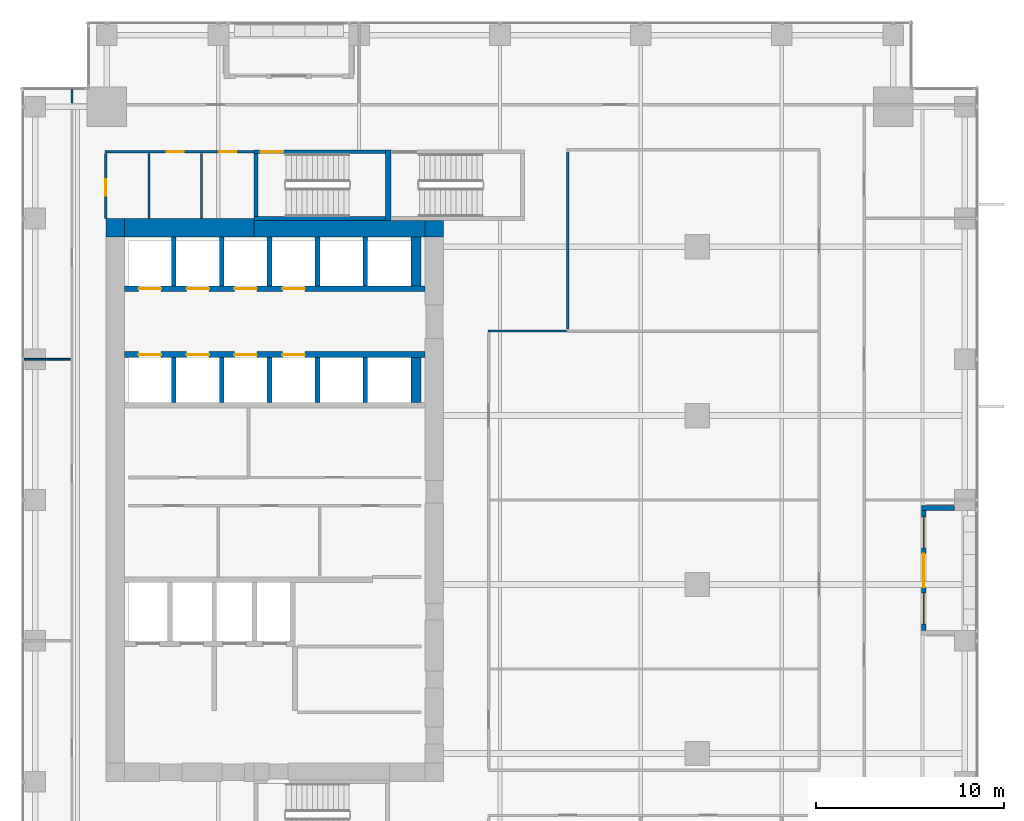
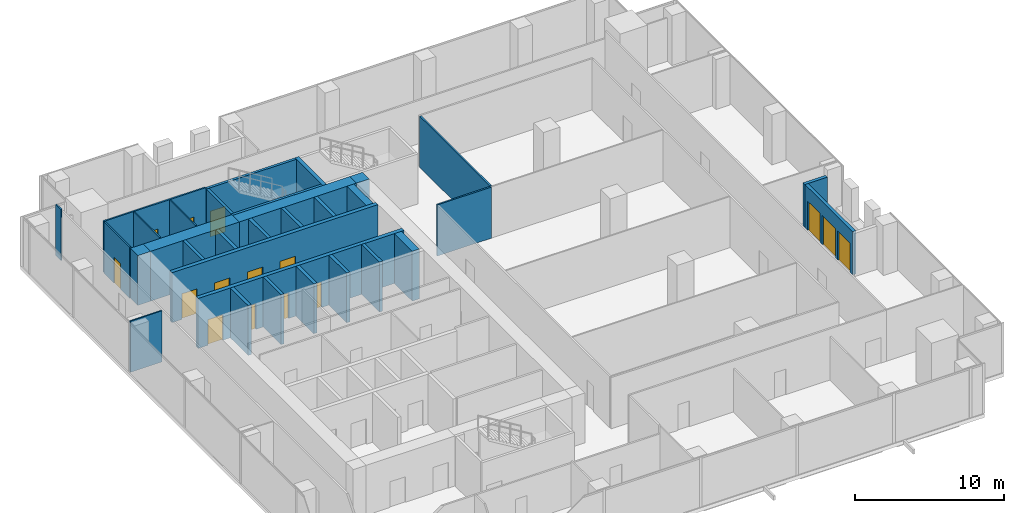
# One storey, part 30 of 34: 32 walls, 13 doors, 2 windows, 15 openings.
"""IFC4 building model written with IfcOpenShell, lengths in metres."""

from ifc_helpers import new_model, si_unit, direction, frame, frame_2d, origin, place, context, subcontext, project, spatial, rectangle, extrude, source, transform, mapped, material, layer, layer_set, type_object, element, fill, save


model = new_model("IFC4")

# Units and contexts
model_context = context("Model", 3, precision=1e-05, world=origin(), true_north=direction((0.0, 1.0)))
body_context = subcontext(model_context, "Body", "Model", "MODEL_VIEW")
ifc_project = project(units=[si_unit("LENGTHUNIT", "METRE"), si_unit("AREAUNIT", "SQUARE_METRE"), si_unit("VOLUMEUNIT", "CUBIC_METRE"), si_unit("PLANEANGLEUNIT", "RADIAN"), si_unit("MASSUNIT", "GRAM", prefix="KILO")], contexts=[model_context])

# Site, building, storey
site_placement = place(None, origin())
site = spatial("IfcSite", under=ifc_project, at=site_placement, CompositionType="ELEMENT")
building_placement = place(site_placement, origin())
building = spatial("IfcBuilding", under=site, at=building_placement, Name="Khomas Fold Tower", CompositionType="ELEMENT")
storey_placement = place(building_placement, frame((0.0, 0.0, 110.300048828125)))
storey = spatial("IfcBuildingStorey", under=building, at=storey_placement, Name="L23", CompositionType="ELEMENT", Elevation=110.300048828125)

# Walls
ifc_material_1 = material(Name="Concrete C70/85", Category="concrete")
ifc_layer_1 = layer(ifc_material_1, 1.0)
ifc_layer_set_1 = layer_set([ifc_layer_1], Name="Concrete C70/85")
wall_type_1 = type_object("IfcWallType", Name="Core wall 1000", PredefinedType="SHEAR", material=ifc_layer_set_1)
shared_shape_1 = source(origin(), body_context, "Body", "SweptSolid", [
    extrude(rectangle(XDim=6.89990234375, YDim=1.0, at=frame_2d((3.449951171875, 0.0))), origin(), (0.0, 0.0, 1.0), 4.099853515625),
])
wall_1_placement = place(storey_placement, frame((7.0, 41.5, 0.0), z_axis=(0.0, 0.0, 1.0), x_axis=(1.0, 0.0, 0.0)))
element("IfcWall", 1, at=wall_1_placement, inside=storey, type_object=wall_type_1, Name="Core wall CW-L-N-L21", PredefinedType="SHEAR", context=body_context, shape_type="MappedRepresentation", body=[
    mapped(shared_shape_1, transform((0.0, 0.0, 0.0))),
])
ifc_material_2 = material(Name="Concrete C70/85", Category="concrete")
ifc_layer_2 = layer(ifc_material_2, 0.89990234375)
ifc_layer_set_2 = layer_set([ifc_layer_2], Name="Concrete C70/85")
wall_type_2 = type_object("IfcWallType", Name="Core wall 900", PredefinedType="SHEAR", material=ifc_layer_set_2)
shared_shape_2 = source(origin(), body_context, "Body", "SweptSolid", [
    extrude(rectangle(XDim=9.10009765625, YDim=0.89990234375, at=frame_2d((4.550048828125, 0.0))), origin(), (0.0, 0.0, 1.0), 4.099853515625),
])
wall_2_placement = place(storey_placement, frame((13.89990234375, 41.449951171875, 0.0), z_axis=(0.0, 0.0, 1.0), x_axis=(1.0, 0.0, 0.0)))
element("IfcWall", 2, at=wall_2_placement, inside=storey, type_object=wall_type_2, Name="Core wall CW-L-N-L21-1", PredefinedType="SHEAR", context=body_context, shape_type="MappedRepresentation", body=[
    mapped(shared_shape_2, transform((0.0, 0.0, 0.0))),
])
ifc_material_3 = material(Name="Concrete C70/85", Category="concrete")
ifc_layer_3 = layer(ifc_material_3, 0.89990234375)
ifc_layer_set_3 = layer_set([ifc_layer_3], Name="Concrete C70/85")
wall_type_3 = type_object("IfcWallType", Name="Core corner wall 900", PredefinedType="SHEAR", material=ifc_layer_set_3)
shared_shape_3 = source(origin(), body_context, "Body", "SweptSolid", [
    extrude(rectangle(XDim=1.0, YDim=0.89990234375, at=frame_2d((0.5, 0.0))), origin(), (0.0, 0.0, 1.0), 4.099853515625),
])
wall_3_placement = place(storey_placement, frame((23.0, 41.449951171875, 0.0), z_axis=(0.0, 0.0, 1.0), x_axis=(1.0, 0.0, 0.0)))
element("IfcWall", 3, at=wall_3_placement, inside=storey, type_object=wall_type_3, Name="Core wall CW-L-NE-L21", PredefinedType="SHEAR", context=body_context, shape_type="MappedRepresentation", body=[
    mapped(shared_shape_3, transform((0.0, 0.0, 0.0))),
])
ifc_material_4 = material(Name="Concrete C70/85", Category="concrete")
ifc_layer_4 = layer(ifc_material_4, 1.0)
ifc_layer_set_4 = layer_set([ifc_layer_4], Name="Concrete C70/85")
wall_type_4 = type_object("IfcWallType", Name="Core corner wall 1000", PredefinedType="SHEAR", material=ifc_layer_set_4)
shared_shape_4 = source(origin(), body_context, "Body", "SweptSolid", [
    extrude(rectangle(XDim=1.0, YDim=1.0, at=frame_2d((0.5, 0.0))), origin(), (0.0, 0.0, 1.0), 4.099853515625),
])
wall_4_placement = place(storey_placement, frame((6.0, 41.5, 0.0), z_axis=(0.0, 0.0, 1.0), x_axis=(1.0, 0.0, 0.0)))
element("IfcWall", 4, at=wall_4_placement, inside=storey, type_object=wall_type_4, Name="Core wall CW-L-NW-L21", PredefinedType="SHEAR", context=body_context, shape_type="MappedRepresentation", body=[
    mapped(shared_shape_4, transform((0.0, 0.0, 0.0))),
])

# Wall, opening, door
ifc_material_5 = material(Name="Concrete C50/60", Category="concrete")
ifc_layer_5 = layer(ifc_material_5, 0.199951171875)
ifc_layer_set_5 = layer_set([ifc_layer_5], Name="Concrete C50/60")
wall_type_5 = type_object("IfcWallType", Name="Stair wall 200", PredefinedType="SHEAR", material=ifc_layer_set_5)
shared_shape_5 = source(origin(), body_context, "Body", "SweptSolid", [
    extrude(rectangle(XDim=7.0, YDim=0.199951171875, at=frame_2d((3.5, 0.0))), origin(), (0.0, 0.0, 1.0), 4.099853515625),
])
wall_5_placement = place(storey_placement, frame((13.89990234375, 45.550048828125, 0.0), z_axis=(0.0, 0.0, 1.0), x_axis=(1.0, 0.0, 0.0)))
wall_5 = element("IfcWall", 5, at=wall_5_placement, inside=storey, type_object=wall_type_5, Name="Stair wall SW-ST1-N", PredefinedType="SHEAR", context=body_context, shape_type="MappedRepresentation", body=[
    mapped(shared_shape_5, transform((0.0, 0.0, 0.0))),
])
shared_shape_6 = source(origin(), body_context, "Body", "SweptSolid", [
    extrude(rectangle(XDim=1.199951171875, YDim=2.10009765625, at=frame_2d((0.60009765625, 1.050048828125))), frame((0.0, 0.10986328125, 0.0), z_axis=(0.0, -1.0, 0.0), x_axis=(1.0, 0.0, 0.0)), (0.0, 0.0, 1.0), 0.219970703125),
])
opening_1_placement = place(wall_5_placement, frame((0.35009765625, 0.0, 0.0)))
opening_1 = element("IfcOpeningElement", 6, at=opening_1_placement, cuts=wall_5, Name="Opening SD-ST1", PredefinedType="OPENING", context=body_context, shape_type="MappedRepresentation", body=[
    mapped(shared_shape_6, transform((0.0, 0.0, 0.0))),
])
ifc_material_6 = material(Name="Steel door leaf", Category="steel")
door_type_1 = type_object("IfcDoorType", Name="Stair door 1200x2100 left-hand", OperationType="SINGLE_SWING_LEFT", PredefinedType="DOOR", material=ifc_material_6)
shared_shape_7 = source(origin(), body_context, "Body", "SweptSolid", [
    extrude(rectangle(XDim=1.199951171875, YDim=2.10009765625, at=frame_2d((0.60009765625, 1.050048828125))), frame((0.0, 0.02490234375, 0.0), z_axis=(0.0, -1.0, 0.0), x_axis=(1.0, 0.0, 0.0)), (0.0, 0.0, 1.0), 0.050048828125),
])
door_1_placement = place(opening_1_placement, origin())
door_1 = element("IfcDoor", 7, at=door_1_placement, inside=storey, type_object=door_type_1, Name="Stair door", OperationType="SINGLE_SWING_LEFT", OverallHeight=2.10009765625, OverallWidth=1.199951171875, PredefinedType="DOOR", context=body_context, shape_type="MappedRepresentation", body=[
    mapped(shared_shape_7, transform((0.0, 0.0, 0.0))),
])
fill(opening_1, door_1)

# Walls
wall_6_placement = place(storey_placement, frame((13.89990234375, 42.0, 0.0), z_axis=(0.0, 0.0, 1.0), x_axis=(1.0, 0.0, 0.0)))
element("IfcWall", 8, at=wall_6_placement, inside=storey, type_object=wall_type_5, Name="Stair wall SW-ST1-S", PredefinedType="SHEAR", context=body_context, shape_type="MappedRepresentation", body=[
    mapped(shared_shape_5, transform((0.0, 0.0, 0.0))),
])
ifc_material_7 = material(Name="Concrete C50/60", Category="concrete")
ifc_layer_6 = layer(ifc_material_7, 0.300048828125)
ifc_layer_set_6 = layer_set([ifc_layer_6], Name="Concrete C50/60")
wall_type_6 = type_object("IfcWallType", Name="Stair wall 300", PredefinedType="SHEAR", material=ifc_layer_set_6)
shared_shape_8 = source(origin(), body_context, "Body", "SweptSolid", [
    extrude(rectangle(XDim=3.75, YDim=0.300048828125, at=frame_2d((1.875, 0.0))), origin(), (0.0, 0.0, 1.0), 4.099853515625),
])
wall_7_placement = place(storey_placement, frame((21.050048828125, 41.89990234375, 0.0), z_axis=(0.0, 0.0, 1.0), x_axis=(0.0, 1.0, 0.0)))
element("IfcWall", 9, at=wall_7_placement, inside=storey, type_object=wall_type_6, Name="Stair wall SW-ST1-E", PredefinedType="SHEAR", context=body_context, shape_type="MappedRepresentation", body=[
    mapped(shared_shape_8, transform((0.0, 0.0, 0.0))),
])
shared_shape_9 = source(origin(), body_context, "Body", "SweptSolid", [
    extrude(rectangle(XDim=3.349853515625, YDim=0.199951171875, at=frame_2d((1.6748046875, 0.0))), origin(), (0.0, 0.0, 1.0), 4.099853515625),
])
wall_8_placement = place(storey_placement, frame((14.0, 42.10009765625, 0.0), z_axis=(0.0, 0.0, 1.0), x_axis=(0.0, 1.0, 0.0)))
element("IfcWall", 10, at=wall_8_placement, inside=storey, type_object=wall_type_5, Name="Stair wall SW-ST1-W", PredefinedType="SHEAR", context=body_context, shape_type="MappedRepresentation", body=[
    mapped(shared_shape_9, transform((0.0, 0.0, 0.0))),
])

# Wall, openings, doors
ifc_material_8 = material(Name="Concrete C50/60", Category="concrete")
ifc_layer_7 = layer(ifc_material_8, 0.300048828125)
ifc_layer_set_7 = layer_set([ifc_layer_7], Name="Concrete C50/60")
wall_type_7 = type_object("IfcWallType", Name="Shaft wall 300", PredefinedType="STANDARD", material=ifc_layer_set_7)
shared_shape_10 = source(origin(), body_context, "Body", "SweptSolid", [
    extrude(rectangle(XDim=16.0, YDim=0.300048828125, at=frame_2d((8.0, 0.0))), origin(), (0.0, 0.0, 1.0), 4.099853515625),
])
wall_9_placement = place(storey_placement, frame((7.0, 38.25, 0.0), z_axis=(0.0, 0.0, 1.0), x_axis=(1.0, 0.0, 0.0)))
wall_9 = element("IfcWall", 11, at=wall_9_placement, inside=storey, type_object=wall_type_7, Name="Core wall SW-LRN-F", PredefinedType="STANDARD", context=body_context, shape_type="MappedRepresentation", body=[
    mapped(shared_shape_10, transform((0.0, 0.0, 0.0))),
])
shared_shape_11 = source(origin(), body_context, "Body", "SweptSolid", [
    extrude(rectangle(XDim=1.199951171875, YDim=2.10009765625, at=frame_2d((0.60009765625, 1.050048828125))), frame((0.0, 0.159912109375, 0.0), z_axis=(0.0, -1.0, 0.0), x_axis=(1.0, 0.0, 0.0)), (0.0, 0.0, 1.0), 0.320068359375),
])
opening_2_placement = place(wall_9_placement, frame((0.75, 0.0, 0.0)))
opening_2 = element("IfcOpeningElement", 12, at=opening_2_placement, cuts=wall_9, Name="Opening LD-LR5", PredefinedType="OPENING", context=body_context, shape_type="MappedRepresentation", body=[
    mapped(shared_shape_11, transform((0.0, 0.0, 0.0))),
])
opening_3_placement = place(wall_9_placement, frame((3.300048828125, 0.0, 0.0)))
opening_3 = element("IfcOpeningElement", 13, at=opening_3_placement, cuts=wall_9, Name="Opening LD-LR6", PredefinedType="OPENING", context=body_context, shape_type="MappedRepresentation", body=[
    mapped(shared_shape_11, transform((0.0, 0.0, 0.0))),
])
opening_4_placement = place(wall_9_placement, frame((5.85009765625, 0.0, 0.0)))
opening_4 = element("IfcOpeningElement", 14, at=opening_4_placement, cuts=wall_9, Name="Opening LD-LR7", PredefinedType="OPENING", context=body_context, shape_type="MappedRepresentation", body=[
    mapped(shared_shape_11, transform((0.0, 0.0, 0.0))),
])
opening_5_placement = place(wall_9_placement, frame((8.39990234375, 0.0, 0.0)))
opening_5 = element("IfcOpeningElement", 15, at=opening_5_placement, cuts=wall_9, Name="Opening LD-LR8", PredefinedType="OPENING", context=body_context, shape_type="MappedRepresentation", body=[
    mapped(shared_shape_11, transform((0.0, 0.0, 0.0))),
])
ifc_material_9 = material(Name="Steel door leaf", Category="steel")
door_type_2 = type_object("IfcDoorType", Name="Landing door 1200x2100", OperationType="DOUBLE_DOOR_SLIDING", PredefinedType="DOOR", material=ifc_material_9)
door_2_placement = place(opening_2_placement, origin())
door_2 = element("IfcDoor", 16, at=door_2_placement, inside=storey, type_object=door_type_2, Name="Lift landing door", OperationType="DOUBLE_DOOR_SLIDING", OverallHeight=2.10009765625, OverallWidth=1.199951171875, PredefinedType="DOOR", context=body_context, shape_type="MappedRepresentation", body=[
    mapped(shared_shape_7, transform((0.0, 0.0, 0.0))),
])
fill(opening_2, door_2)
door_3_placement = place(opening_3_placement, origin())
door_3 = element("IfcDoor", 17, at=door_3_placement, inside=storey, type_object=door_type_2, Name="Lift landing door", OperationType="DOUBLE_DOOR_SLIDING", OverallHeight=2.10009765625, OverallWidth=1.199951171875, PredefinedType="DOOR", context=body_context, shape_type="MappedRepresentation", body=[
    mapped(shared_shape_7, transform((0.0, 0.0, 0.0))),
])
fill(opening_3, door_3)
door_4_placement = place(opening_4_placement, origin())
door_4 = element("IfcDoor", 18, at=door_4_placement, inside=storey, type_object=door_type_2, Name="Lift landing door", OperationType="DOUBLE_DOOR_SLIDING", OverallHeight=2.10009765625, OverallWidth=1.199951171875, PredefinedType="DOOR", context=body_context, shape_type="MappedRepresentation", body=[
    mapped(shared_shape_7, transform((0.0, 0.0, 0.0))),
])
fill(opening_4, door_4)
door_5_placement = place(opening_5_placement, origin())
door_5 = element("IfcDoor", 19, at=door_5_placement, inside=storey, type_object=door_type_2, Name="Lift landing door", OperationType="DOUBLE_DOOR_SLIDING", OverallHeight=2.10009765625, OverallWidth=1.199951171875, PredefinedType="DOOR", context=body_context, shape_type="MappedRepresentation", body=[
    mapped(shared_shape_7, transform((0.0, 0.0, 0.0))),
])
fill(opening_5, door_5)

wall_10_placement = place(storey_placement, frame((7.0, 34.75, 0.0), z_axis=(0.0, 0.0, 1.0), x_axis=(1.0, 0.0, 0.0)))
wall_10 = element("IfcWall", 20, at=wall_10_placement, inside=storey, type_object=wall_type_7, Name="Core wall SW-LRS-F", PredefinedType="STANDARD", context=body_context, shape_type="MappedRepresentation", body=[
    mapped(shared_shape_10, transform((0.0, 0.0, 0.0))),
])
opening_6_placement = place(wall_10_placement, frame((0.75, 0.0, 0.0)))
opening_6 = element("IfcOpeningElement", 21, at=opening_6_placement, cuts=wall_10, Name="Opening LD-LR1", PredefinedType="OPENING", context=body_context, shape_type="MappedRepresentation", body=[
    mapped(shared_shape_11, transform((0.0, 0.0, 0.0))),
])
opening_7_placement = place(wall_10_placement, frame((3.300048828125, 0.0, 0.0)))
opening_7 = element("IfcOpeningElement", 22, at=opening_7_placement, cuts=wall_10, Name="Opening LD-LR2", PredefinedType="OPENING", context=body_context, shape_type="MappedRepresentation", body=[
    mapped(shared_shape_11, transform((0.0, 0.0, 0.0))),
])
opening_8_placement = place(wall_10_placement, frame((5.85009765625, 0.0, 0.0)))
opening_8 = element("IfcOpeningElement", 23, at=opening_8_placement, cuts=wall_10, Name="Opening LD-LR3", PredefinedType="OPENING", context=body_context, shape_type="MappedRepresentation", body=[
    mapped(shared_shape_11, transform((0.0, 0.0, 0.0))),
])
opening_9_placement = place(wall_10_placement, frame((8.39990234375, 0.0, 0.0)))
opening_9 = element("IfcOpeningElement", 24, at=opening_9_placement, cuts=wall_10, Name="Opening LD-LR4", PredefinedType="OPENING", context=body_context, shape_type="MappedRepresentation", body=[
    mapped(shared_shape_11, transform((0.0, 0.0, 0.0))),
])
door_6_placement = place(opening_6_placement, origin())
door_6 = element("IfcDoor", 25, at=door_6_placement, inside=storey, type_object=door_type_2, Name="Lift landing door", OperationType="DOUBLE_DOOR_SLIDING", OverallHeight=2.10009765625, OverallWidth=1.199951171875, PredefinedType="DOOR", context=body_context, shape_type="MappedRepresentation", body=[
    mapped(shared_shape_7, transform((0.0, 0.0, 0.0))),
])
fill(opening_6, door_6)
door_7_placement = place(opening_7_placement, origin())
door_7 = element("IfcDoor", 26, at=door_7_placement, inside=storey, type_object=door_type_2, Name="Lift landing door", OperationType="DOUBLE_DOOR_SLIDING", OverallHeight=2.10009765625, OverallWidth=1.199951171875, PredefinedType="DOOR", context=body_context, shape_type="MappedRepresentation", body=[
    mapped(shared_shape_7, transform((0.0, 0.0, 0.0))),
])
fill(opening_7, door_7)
door_8_placement = place(opening_8_placement, origin())
door_8 = element("IfcDoor", 27, at=door_8_placement, inside=storey, type_object=door_type_2, Name="Lift landing door", OperationType="DOUBLE_DOOR_SLIDING", OverallHeight=2.10009765625, OverallWidth=1.199951171875, PredefinedType="DOOR", context=body_context, shape_type="MappedRepresentation", body=[
    mapped(shared_shape_7, transform((0.0, 0.0, 0.0))),
])
fill(opening_8, door_8)
door_9_placement = place(opening_9_placement, origin())
door_9 = element("IfcDoor", 28, at=door_9_placement, inside=storey, type_object=door_type_2, Name="Lift landing door", OperationType="DOUBLE_DOOR_SLIDING", OverallHeight=2.10009765625, OverallWidth=1.199951171875, PredefinedType="DOOR", context=body_context, shape_type="MappedRepresentation", body=[
    mapped(shared_shape_7, transform((0.0, 0.0, 0.0))),
])
fill(opening_9, door_9)

# Walls
ifc_material_10 = material(Name="Concrete C50/60", Category="concrete")
ifc_layer_8 = layer(ifc_material_10, 0.25)
ifc_layer_set_8 = layer_set([ifc_layer_8], Name="Concrete C50/60")
wall_type_8 = type_object("IfcWallType", Name="Shaft wall 250", PredefinedType="STANDARD", material=ifc_layer_set_8)
shared_shape_12 = source(origin(), body_context, "Body", "SweptSolid", [
    extrude(rectangle(XDim=2.60009765625, YDim=0.25, at=frame_2d((1.300048828125, 0.0))), origin(), (0.0, 0.0, 1.0), 4.099853515625),
])
for number, where, z_axis, x_axis, name in (
    (29, (9.625, 38.39990234375, 0.0), (0.0, 0.0, 1.0), (0.0, 1.0, 0.0), "Core wall SW-LRN-P1"),
    (30, (12.175048828125, 38.39990234375, 0.0), (0.0, 0.0, 1.0), (0.0, 1.0, 0.0), "Core wall SW-LRN-P2"),
    (31, (14.72509765625, 38.39990234375, 0.0), (0.0, 0.0, 1.0), (0.0, 1.0, 0.0), "Core wall SW-LRN-P3"),
    (32, (17.27490234375, 38.39990234375, 0.0), (0.0, 0.0, 1.0), (0.0, 1.0, 0.0), "Core wall SW-LRN-P4"),
    (33, (19.824951171875, 38.39990234375, 0.0), (0.0, 0.0, 1.0), (0.0, 1.0, 0.0), "Core wall SW-LRN-P5"),
):
    element("IfcWall", number, at=place(storey_placement, frame(where, z_axis=z_axis, x_axis=x_axis)), inside=storey, type_object=wall_type_8, Name=name, PredefinedType="STANDARD", context=body_context, shape_type="MappedRepresentation", body=[
        mapped(shared_shape_12, transform((0.0, 0.0, 0.0))),
    ])
ifc_material_11 = material(Name="Concrete C50/60", Category="concrete")
ifc_layer_9 = layer(ifc_material_11, 0.550048828125)
ifc_layer_set_9 = layer_set([ifc_layer_9], Name="Concrete C50/60")
wall_type_9 = type_object("IfcWallType", Name="Shaft wall 550", PredefinedType="STANDARD", material=ifc_layer_set_9)
shared_shape_13 = source(origin(), body_context, "Body", "SweptSolid", [
    extrude(rectangle(XDim=2.60009765625, YDim=0.550048828125, at=frame_2d((1.300048828125, 0.0))), origin(), (0.0, 0.0, 1.0), 4.099853515625),
])
wall_11_placement = place(storey_placement, frame((22.52490234375, 38.39990234375, 0.0), z_axis=(0.0, 0.0, 1.0), x_axis=(0.0, 1.0, 0.0)))
element("IfcWall", 34, at=wall_11_placement, inside=storey, type_object=wall_type_9, Name="Core wall SW-LRN-PE", PredefinedType="STANDARD", context=body_context, shape_type="MappedRepresentation", body=[
    mapped(shared_shape_13, transform((0.0, 0.0, 0.0))),
])
shared_shape_14 = source(origin(), body_context, "Body", "SweptSolid", [
    extrude(rectangle(XDim=2.400146484375, YDim=0.25, at=frame_2d((1.2001953125, 0.0))), origin(), (0.0, 0.0, 1.0), 4.099853515625),
])
for number, where, z_axis, x_axis, name in (
    (35, (9.625, 32.199951171875, 0.0), (0.0, 0.0, 1.0), (0.0, 1.0, 0.0), "Core wall SW-LRS-P1"),
    (36, (12.175048828125, 32.199951171875, 0.0), (0.0, 0.0, 1.0), (0.0, 1.0, 0.0), "Core wall SW-LRS-P2"),
    (37, (14.72509765625, 32.199951171875, 0.0), (0.0, 0.0, 1.0), (0.0, 1.0, 0.0), "Core wall SW-LRS-P3"),
    (38, (17.27490234375, 32.199951171875, 0.0), (0.0, 0.0, 1.0), (0.0, 1.0, 0.0), "Core wall SW-LRS-P4"),
    (39, (19.824951171875, 32.199951171875, 0.0), (0.0, 0.0, 1.0), (0.0, 1.0, 0.0), "Core wall SW-LRS-P5"),
):
    element("IfcWall", number, at=place(storey_placement, frame(where, z_axis=z_axis, x_axis=x_axis)), inside=storey, type_object=wall_type_8, Name=name, PredefinedType="STANDARD", context=body_context, shape_type="MappedRepresentation", body=[
        mapped(shared_shape_14, transform((0.0, 0.0, 0.0))),
    ])
shared_shape_15 = source(origin(), body_context, "Body", "SweptSolid", [
    extrude(rectangle(XDim=2.400146484375, YDim=0.550048828125, at=frame_2d((1.2001953125, 0.0))), origin(), (0.0, 0.0, 1.0), 4.099853515625),
])
wall_12_placement = place(storey_placement, frame((22.52490234375, 32.199951171875, 0.0), z_axis=(0.0, 0.0, 1.0), x_axis=(0.0, 1.0, 0.0)))
element("IfcWall", 40, at=wall_12_placement, inside=storey, type_object=wall_type_9, Name="Core wall SW-LRS-PE", PredefinedType="STANDARD", context=body_context, shape_type="MappedRepresentation", body=[
    mapped(shared_shape_15, transform((0.0, 0.0, 0.0))),
])

# Wall, openings, door, windows
ifc_material_12 = material(Name="Natural stone", Category="masonry")
ifc_layer_10 = layer(ifc_material_12, 0.0400390625)
ifc_material_13 = material(Name="Mineral wool insulation", Category="insulation")
ifc_layer_11 = layer(ifc_material_13, 0.10009765625)
ifc_material_14 = material(Name="Masonry", Category="masonry")
ifc_layer_12 = layer(ifc_material_14, 0.110107421875)
ifc_layer_set_10 = layer_set([ifc_layer_10, ifc_layer_11, ifc_layer_12], Name="Stone-faced insulated masonry")
wall_type_10 = type_object("IfcWallType", Name="BL-Balcony wall", PredefinedType="SOLIDWALL", material=ifc_layer_set_10)
shared_shape_16 = source(origin(), body_context, "Body", "SweptSolid", [
    extrude(rectangle(XDim=6.39990234375, YDim=0.25, at=frame_2d((3.199951171875, 0.0))), origin(), (0.0, 0.0, 1.0), 3.550048828125),
])
wall_13_placement = place(storey_placement, frame((49.574951171875, 20.050048828125, 0.0), z_axis=(0.0, 0.0, 1.0), x_axis=(0.0, 1.0, 0.0)))
wall_13 = element("IfcWall", 41, at=wall_13_placement, inside=storey, type_object=wall_type_10, Name="Balcony wall BAL-L23-E2", PredefinedType="SOLIDWALL", context=body_context, shape_type="MappedRepresentation", body=[
    mapped(shared_shape_16, transform((0.0, 0.0, 0.0))),
])
shared_shape_17 = source(origin(), body_context, "Body", "SweptSolid", [
    extrude(rectangle(XDim=1.64990234375, YDim=2.39990234375, at=frame_2d((0.824951171875, 1.199951171875))), frame((0.0, 0.135009765625, 0.0), z_axis=(0.0, -1.0, 0.0), x_axis=(1.0, 0.0, 0.0)), (0.0, 0.0, 1.0), 0.27001953125),
])
opening_10_placement = place(wall_13_placement, frame((0.35009765625, 0.0, 0.0)))
opening_10 = element("IfcOpeningElement", 42, at=opening_10_placement, cuts=wall_13, Name="Opening BL-W2", PredefinedType="OPENING", context=body_context, shape_type="MappedRepresentation", body=[
    mapped(shared_shape_17, transform((0.0, 0.0, 0.0))),
])
opening_11_placement = place(wall_13_placement, frame((4.39990234375, 0.0, 0.0)))
opening_11 = element("IfcOpeningElement", 43, at=opening_11_placement, cuts=wall_13, Name="Opening BL-W2", PredefinedType="OPENING", context=body_context, shape_type="MappedRepresentation", body=[
    mapped(shared_shape_17, transform((0.0, 0.0, 0.0))),
])
shared_shape_18 = source(origin(), body_context, "Body", "SweptSolid", [
    extrude(rectangle(XDim=1.800048828125, YDim=2.39990234375, at=frame_2d((0.89990234375, 1.199951171875))), frame((0.0, 0.135009765625, 0.0), z_axis=(0.0, -1.0, 0.0), x_axis=(1.0, 0.0, 0.0)), (0.0, 0.0, 1.0), 0.27001953125),
])
opening_12_placement = place(wall_13_placement, frame((2.300048828125, 0.0, 0.0)))
opening_12 = element("IfcOpeningElement", 44, at=opening_12_placement, cuts=wall_13, Name="Opening BD232", PredefinedType="OPENING", context=body_context, shape_type="MappedRepresentation", body=[
    mapped(shared_shape_18, transform((0.0, 0.0, 0.0))),
])
ifc_material_15 = material(Name="Aluminium framed double glazing", Category="aluminium")
door_type_3 = type_object("IfcDoorType", Name="BL-Glazed balcony door 1800 x 2400", OperationType="DOUBLE_DOOR_DOUBLE_SWING", PredefinedType="DOOR", material=ifc_material_15)
shared_shape_19 = source(origin(), body_context, "Body", "SweptSolid", [
    extrude(rectangle(XDim=1.800048828125, YDim=2.39990234375, at=frame_2d((0.89990234375, 1.199951171875))), frame((0.0, 0.02490234375, 0.0), z_axis=(0.0, -1.0, 0.0), x_axis=(1.0, 0.0, 0.0)), (0.0, 0.0, 1.0), 0.050048828125),
])
door_10_placement = place(opening_12_placement, origin())
door_10 = element("IfcDoor", 45, at=door_10_placement, inside=storey, type_object=door_type_3, Name="Balcony door BD232", OperationType="DOUBLE_DOOR_DOUBLE_SWING", OverallHeight=2.39990234375, OverallWidth=1.800048828125, PredefinedType="DOOR", context=body_context, shape_type="MappedRepresentation", body=[
    mapped(shared_shape_19, transform((0.0, 0.0, 0.0))),
])
fill(opening_12, door_10)
ifc_material_16 = material(Name="Aluminium framed double glazing", Category="aluminium")
window_type = type_object("IfcWindowType", Name="BL-Fixed glazing 1650 x 2400", PartitioningType="SINGLE_PANEL", PredefinedType="WINDOW", material=ifc_material_16)
shared_shape_20 = source(origin(), body_context, "Body", "SweptSolid", [
    extrude(rectangle(XDim=1.64990234375, YDim=2.39990234375, at=frame_2d((0.824951171875, 1.199951171875))), frame((0.0, 0.030029296875, 0.0), z_axis=(0.0, -1.0, 0.0), x_axis=(1.0, 0.0, 0.0)), (0.0, 0.0, 1.0), 0.06005859375),
])
window_1_placement = place(opening_10_placement, origin())
window_1 = element("IfcWindow", 46, at=window_1_placement, inside=storey, type_object=window_type, Name="Balcony glazing BAL-L23-E2-1", OverallHeight=2.39990234375, OverallWidth=1.64990234375, PartitioningType="SINGLE_PANEL", PredefinedType="WINDOW", context=body_context, shape_type="MappedRepresentation", body=[
    mapped(shared_shape_20, transform((0.0, 0.0, 0.0))),
])
fill(opening_10, window_1)
window_2_placement = place(opening_11_placement, origin())
window_2 = element("IfcWindow", 47, at=window_2_placement, inside=storey, type_object=window_type, Name="Balcony glazing BAL-L23-E2-2", OverallHeight=2.39990234375, OverallWidth=1.64990234375, PartitioningType="SINGLE_PANEL", PredefinedType="WINDOW", context=body_context, shape_type="MappedRepresentation", body=[
    mapped(shared_shape_20, transform((0.0, 0.0, 0.0))),
])
fill(opening_11, window_2)

# Wall
shared_shape_21 = source(origin(), body_context, "Body", "SweptSolid", [
    extrude(rectangle(XDim=1.75, YDim=0.25, at=frame_2d((0.875, 0.0))), origin(), (0.0, 0.0, 1.0), 3.550048828125),
])
wall_14_placement = place(storey_placement, frame((51.199951171875, 26.574951171875, 0.0), z_axis=(0.0, 0.0, 1.0), x_axis=(-1.0, 0.0, 0.0)))
element("IfcWall", 48, at=wall_14_placement, inside=storey, type_object=wall_type_10, Name="Balcony return wall BAL-L23-E2-hi", PredefinedType="SOLIDWALL", context=body_context, shape_type="MappedRepresentation", body=[
    mapped(shared_shape_21, transform((0.0, 0.0, 0.0))),
])

# Wall, openings, doors
ifc_material_17 = material(Name="Plasterboard partition")
ifc_layer_13 = layer(ifc_material_17, 0.125)
ifc_layer_set_11 = layer_set([ifc_layer_13], Name="Plasterboard partition")
wall_type_11 = type_object("IfcWallType", Name="Partition PW2 125", PredefinedType="PARTITIONING", material=ifc_layer_set_11)
shared_shape_22 = source(origin(), body_context, "Body", "SweptSolid", [
    extrude(rectangle(XDim=7.949951171875, YDim=0.125, at=frame_2d((3.97509765625, 0.0))), origin(), (0.0, 0.0, 1.0), 4.199951171875),
])
wall_15_placement = place(storey_placement, frame((5.949951171875, 45.550048828125, 0.0), z_axis=(0.0, 0.0, 1.0), x_axis=(1.0, 0.0, 0.0)))
wall_15 = element("IfcWall", 49, at=wall_15_placement, inside=storey, type_object=wall_type_11, Name="Partition", PredefinedType="PARTITIONING", context=body_context, shape_type="MappedRepresentation", body=[
    mapped(shared_shape_22, transform((0.0, 0.0, 0.0))),
])
shared_shape_23 = source(origin(), body_context, "Body", "SweptSolid", [
    extrude(rectangle(XDim=0.89990234375, YDim=2.10009765625, at=frame_2d((0.449951171875, 1.050048828125))), frame((0.0, 0.072509765625, 0.0), z_axis=(0.0, -1.0, 0.0), x_axis=(1.0, 0.0, 0.0)), (0.0, 0.0, 1.0), 0.14501953125),
])
opening_13_placement = place(wall_15_placement, frame((3.300048828125, 0.0, 0.0)))
opening_13 = element("IfcOpeningElement", 50, at=opening_13_placement, cuts=wall_15, Name="Opening 0007", PredefinedType="OPENING", context=body_context, shape_type="MappedRepresentation", body=[
    mapped(shared_shape_23, transform((0.0, 0.0, 0.0))),
])
opening_14_placement = place(wall_15_placement, frame((6.10009765625, 0.0, 0.0)))
opening_14 = element("IfcOpeningElement", 51, at=opening_14_placement, cuts=wall_15, Name="Opening 0008", PredefinedType="OPENING", context=body_context, shape_type="MappedRepresentation", body=[
    mapped(shared_shape_23, transform((0.0, 0.0, 0.0))),
])
ifc_material_18 = material(Name="Timber door leaf", Category="wood")
door_type_4 = type_object("IfcDoorType", Name="Door 900x2100 left-hand", OperationType="SINGLE_SWING_LEFT", PredefinedType="DOOR", material=ifc_material_18)
shared_shape_24 = source(origin(), body_context, "Body", "SweptSolid", [
    extrude(rectangle(XDim=0.89990234375, YDim=2.10009765625, at=frame_2d((0.449951171875, 1.050048828125))), frame((0.0, 0.02490234375, 0.0), z_axis=(0.0, -1.0, 0.0), x_axis=(1.0, 0.0, 0.0)), (0.0, 0.0, 1.0), 0.050048828125),
])
door_11_placement = place(opening_13_placement, origin())
door_11 = element("IfcDoor", 52, at=door_11_placement, inside=storey, type_object=door_type_4, Name="Door", OperationType="SINGLE_SWING_LEFT", OverallHeight=2.10009765625, OverallWidth=0.89990234375, PredefinedType="DOOR", context=body_context, shape_type="MappedRepresentation", body=[
    mapped(shared_shape_24, transform((0.0, 0.0, 0.0))),
])
fill(opening_13, door_11)
ifc_material_19 = material(Name="Timber door leaf", Category="wood")
door_type_5 = type_object("IfcDoorType", Name="Door 900x2100 right-hand", OperationType="SINGLE_SWING_RIGHT", PredefinedType="DOOR", material=ifc_material_19)
door_12_placement = place(opening_14_placement, origin())
door_12 = element("IfcDoor", 53, at=door_12_placement, inside=storey, type_object=door_type_5, Name="Door", OperationType="SINGLE_SWING_RIGHT", OverallHeight=2.10009765625, OverallWidth=0.89990234375, PredefinedType="DOOR", context=body_context, shape_type="MappedRepresentation", body=[
    mapped(shared_shape_24, transform((0.0, 0.0, 0.0))),
])
fill(opening_14, door_12)

# Walls
ifc_material_20 = material(Name="Plasterboard partition")
ifc_layer_14 = layer(ifc_material_20, 0.10009765625)
ifc_layer_set_12 = layer_set([ifc_layer_14], Name="Plasterboard partition")
wall_type_12 = type_object("IfcWallType", Name="Partition PW1 100", PredefinedType="PARTITIONING", material=ifc_layer_set_12)
shared_shape_25 = source(origin(), body_context, "Body", "SweptSolid", [
    extrude(rectangle(XDim=2.4501953125, YDim=0.10009765625, at=frame_2d((1.22509765625, 0.0))), origin(), (0.0, 0.0, 1.0), 4.199951171875),
])
wall_16_placement = place(storey_placement, frame((1.64990234375, 34.5, 0.0), z_axis=(0.0, 0.0, 1.0), x_axis=(1.0, 0.0, 0.0)))
element("IfcWall", 54, at=wall_16_placement, inside=storey, type_object=wall_type_12, Name="Partition", PredefinedType="PARTITIONING", context=body_context, shape_type="MappedRepresentation", body=[
    mapped(shared_shape_25, transform((0.0, 0.0, 0.0))),
])
shared_shape_26 = source(origin(), body_context, "Body", "SweptSolid", [
    extrude(rectangle(XDim=4.199951171875, YDim=0.125, at=frame_2d((2.10009765625, 0.0))), origin(), (0.0, 0.0, 1.0), 4.199951171875),
])
wall_17_placement = place(storey_placement, frame((26.35009765625, 36.0, 0.0), z_axis=(0.0, 0.0, 1.0), x_axis=(1.0, 0.0, 0.0)))
element("IfcWall", 55, at=wall_17_placement, inside=storey, type_object=wall_type_11, Name="Partition", PredefinedType="PARTITIONING", context=body_context, shape_type="MappedRepresentation", body=[
    mapped(shared_shape_26, transform((0.0, 0.0, 0.0))),
])
shared_shape_27 = source(origin(), body_context, "Body", "SweptSolid", [
    extrude(rectangle(XDim=9.449951171875, YDim=0.125, at=frame_2d((4.72509765625, 0.0))), origin(), (0.0, 0.0, 1.0), 4.199951171875),
])
wall_18_placement = place(storey_placement, frame((30.60009765625, 36.10009765625, 0.0), z_axis=(0.0, 0.0, 1.0), x_axis=(0.0, 1.0, 0.0)))
element("IfcWall", 56, at=wall_18_placement, inside=storey, type_object=wall_type_11, Name="Partition", PredefinedType="PARTITIONING", context=body_context, shape_type="MappedRepresentation", body=[
    mapped(shared_shape_27, transform((0.0, 0.0, 0.0))),
])

# Wall, opening, door
shared_shape_28 = source(origin(), body_context, "Body", "SweptSolid", [
    extrude(rectangle(XDim=3.449951171875, YDim=0.125, at=frame_2d((1.72509765625, 0.0))), origin(), (0.0, 0.0, 1.0), 4.199951171875),
])
wall_19_placement = place(storey_placement, frame((6.0, 42.0, 0.0), z_axis=(0.0, 0.0, 1.0), x_axis=(0.0, 1.0, 0.0)))
wall_19 = element("IfcWall", 57, at=wall_19_placement, inside=storey, type_object=wall_type_11, Name="Partition", PredefinedType="PARTITIONING", context=body_context, shape_type="MappedRepresentation", body=[
    mapped(shared_shape_28, transform((0.0, 0.0, 0.0))),
])
opening_15_placement = place(wall_19_placement, frame((1.199951171875, 0.0, 0.0)))
opening_15 = element("IfcOpeningElement", 58, at=opening_15_placement, cuts=wall_19, Name="Opening 0007", PredefinedType="OPENING", context=body_context, shape_type="MappedRepresentation", body=[
    mapped(shared_shape_23, transform((0.0, 0.0, 0.0))),
])
door_13_placement = place(opening_15_placement, origin())
door_13 = element("IfcDoor", 59, at=door_13_placement, inside=storey, type_object=door_type_4, Name="Door", OperationType="SINGLE_SWING_LEFT", OverallHeight=2.10009765625, OverallWidth=0.89990234375, PredefinedType="DOOR", context=body_context, shape_type="MappedRepresentation", body=[
    mapped(shared_shape_24, transform((0.0, 0.0, 0.0))),
])
fill(opening_15, door_13)

# Walls
shared_shape_29 = source(origin(), body_context, "Body", "SweptSolid", [
    extrude(rectangle(XDim=3.449951171875, YDim=0.10009765625, at=frame_2d((1.72509765625, 0.0))), origin(), (0.0, 0.0, 1.0), 4.199951171875),
])
for number, where, z_axis, x_axis, name in (
    (60, (8.300048828125, 42.0, 0.0), (0.0, 0.0, 1.0), (0.0, 1.0, 0.0), "Partition"),
    (61, (11.10009765625, 42.0, 0.0), (0.0, 0.0, 1.0), (0.0, 1.0, 0.0), "Partition"),
):
    element("IfcWall", number, at=place(storey_placement, frame(where, z_axis=z_axis, x_axis=x_axis)), inside=storey, type_object=wall_type_12, Name=name, PredefinedType="PARTITIONING", context=body_context, shape_type="MappedRepresentation", body=[
        mapped(shared_shape_29, transform((0.0, 0.0, 0.0))),
    ])
shared_shape_30 = source(origin(), body_context, "Body", "SweptSolid", [
    extrude(rectangle(XDim=0.7001953125, YDim=0.10009765625, at=frame_2d((0.35009765625, 0.0))), origin(), (0.0, 0.0, 1.0), 4.199951171875),
])
wall_20_placement = place(storey_placement, frame((4.199951171875, 48.14990234375, 0.0), z_axis=(0.0, 0.0, 1.0), x_axis=(0.0, 1.0, 0.0)))
element("IfcWall", 62, at=wall_20_placement, inside=storey, type_object=wall_type_12, Name="Partition", PredefinedType="PARTITIONING", context=body_context, shape_type="MappedRepresentation", body=[
    mapped(shared_shape_30, transform((0.0, 0.0, 0.0))),
])

save(model, "model.ifc")
